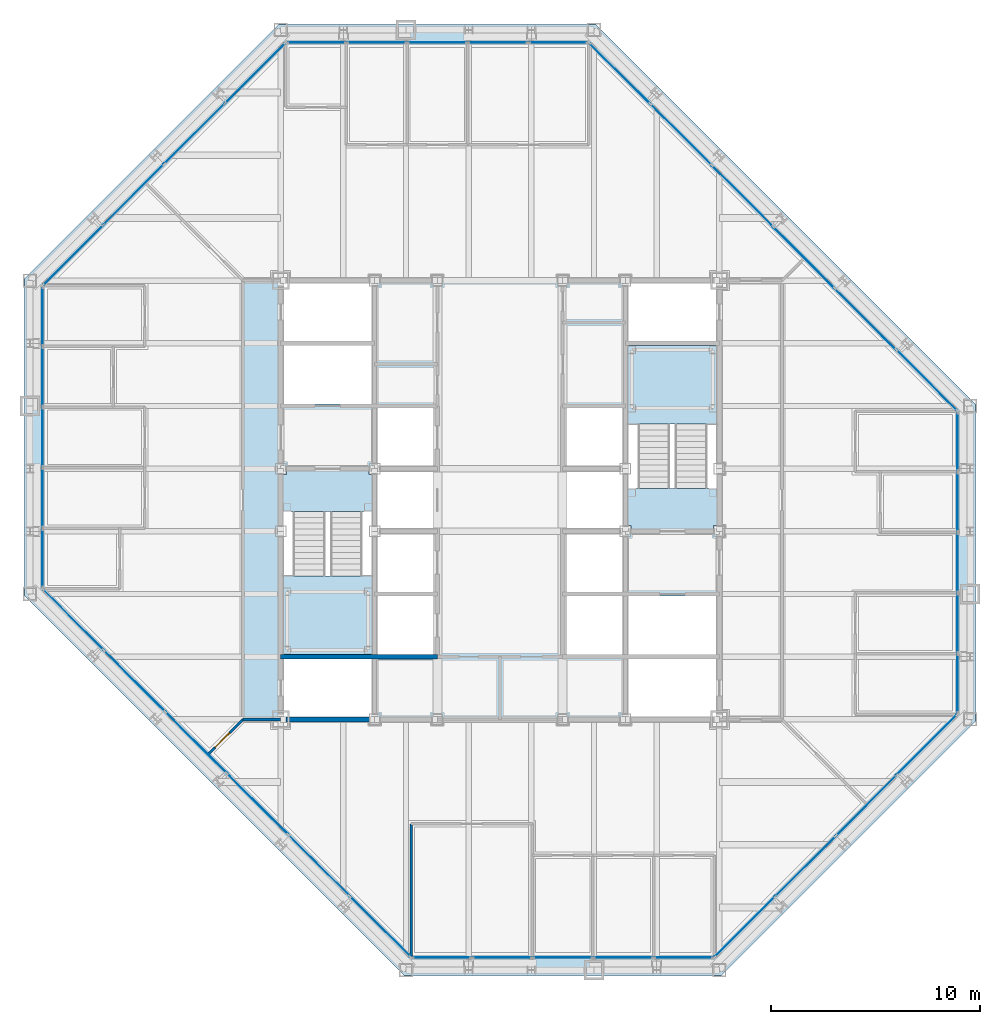
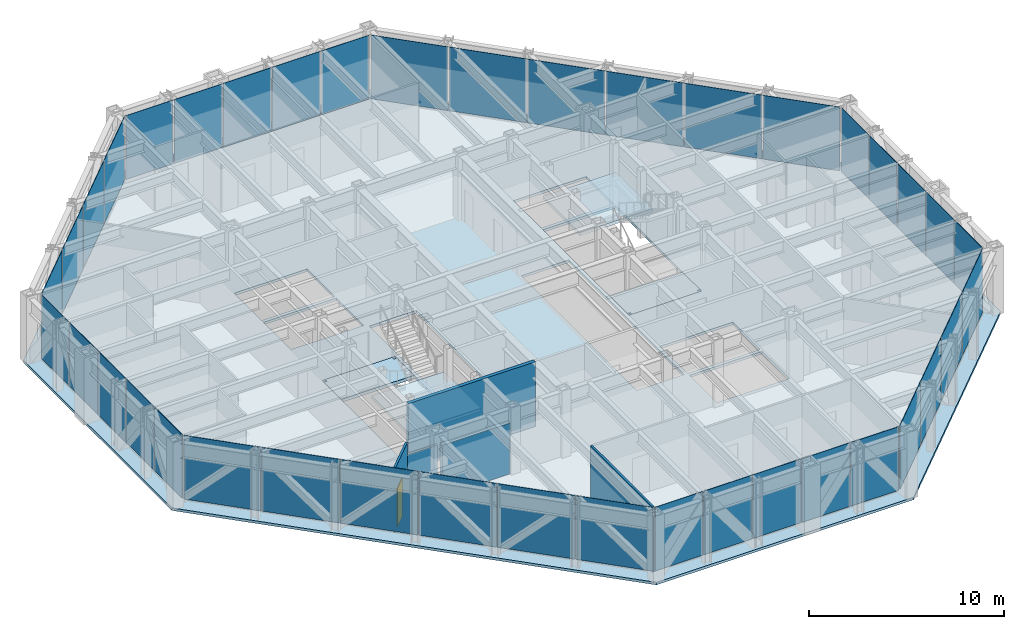
# One storey, part 10 of 16: 40 plates, 5 slabs, 5 walls, 1 door, 1 opening, 10 elements without a shape of their own.
"""IFC4 building model written with IfcOpenShell, lengths in metres."""

from ifc_helpers import new_model, si_unit, direction, frame, frame_2d, origin, origin_2d, place, context, subcontext, project, spatial, polyline, rectangle, outline, extrude, material, layer, layer_set, type_object, element, fill, aggregate, save


model = new_model("IFC4")

# Units and contexts
model_context = context("Model", 3, precision=1e-05, world=origin(), true_north=direction((0.0, 1.0)))
body_context = subcontext(model_context, "Body", "Model", "MODEL_VIEW")
ifc_project = project(units=[si_unit("LENGTHUNIT", "METRE"), si_unit("AREAUNIT", "SQUARE_METRE"), si_unit("VOLUMEUNIT", "CUBIC_METRE"), si_unit("PLANEANGLEUNIT", "RADIAN"), si_unit("MASSUNIT", "GRAM", prefix="KILO")], contexts=[model_context])

# Site, building, storey
site_placement = place(None, origin())
site = spatial("IfcSite", under=ifc_project, at=site_placement, CompositionType="ELEMENT")
building_placement = place(site_placement, origin())
building = spatial("IfcBuilding", under=site, at=building_placement, Name="Chuquiago Exchange Tower", CompositionType="ELEMENT")
storey_placement = place(building_placement, frame((0.0, 0.0, 222.300048828125)))
storey = spatial("IfcBuildingStorey", under=building, at=storey_placement, Name="L49", CompositionType="ELEMENT", Elevation=222.300048828125)

# Curtain wall, plate
ifc_material_1 = material(Name="Aluminium curtain wall system", Category="aluminium")
ifc_layer_1 = layer(ifc_material_1, 0.22509765625)
ifc_layer_set_1 = layer_set([ifc_layer_1], Name="CW2 office curtain wall")
curtain_wall_type_1 = type_object("IfcCurtainWallType", Name="CW2 office curtain wall", PredefinedType="NOTDEFINED", material=ifc_layer_set_1)
curtain_wall_1_placement = place(storey_placement, origin())
curtain_wall_1 = element("IfcCurtainWall", 1, at=curtain_wall_1_placement, inside=storey, type_object=curtain_wall_type_1, Name="CW2 curtain wall L49", PredefinedType="NOTDEFINED")
ifc_material_2 = material(Name="Glass, insulating unit", Category="glass")
ifc_layer_2 = layer(ifc_material_2, 0.030029296875)
ifc_layer_set_2 = layer_set([ifc_layer_2], Name="CW2-P panel 30")
plate_type_1 = type_object("IfcPlateType", Name="CW2-P panel 30", PredefinedType="CURTAIN_PANEL", material=ifc_layer_set_2)
plate_1_placement = place(storey_placement, frame((25.5, 0.60009765625, 0.06494140625), z_axis=(0.0, 0.0, 1.0), x_axis=(1.0, 0.0, 0.0)))
plate_1 = element("IfcPlate", 2, at=plate_1_placement, type_object=plate_type_1, Name="CW2 panel 3.1", PredefinedType="CURTAIN_PANEL", context=body_context, shape_type="SweptSolid", body=[
    extrude(rectangle(XDim=2.835693359375, YDim=0.030029296875, at=origin_2d()), origin(), (0.0, 0.0, 1.0), 3.97509765625),
])

curtain_wall_2_placement = place(storey_placement, origin())
curtain_wall_2 = element("IfcCurtainWall", 3, at=curtain_wall_2_placement, inside=storey, type_object=curtain_wall_type_1, Name="CW2 curtain wall L49", PredefinedType="NOTDEFINED")
plate_2_placement = place(storey_placement, frame((44.39990234375, 19.5, 0.06494140625), z_axis=(0.0, 0.0, 1.0), x_axis=(0.0, 1.0, 0.0)))
plate_2 = element("IfcPlate", 4, at=plate_2_placement, type_object=plate_type_1, Name="CW2 panel 3.1", PredefinedType="CURTAIN_PANEL", context=body_context, shape_type="SweptSolid", body=[
    extrude(rectangle(XDim=2.835693359375, YDim=0.030029296875, at=origin_2d()), origin(), (0.0, 0.0, 1.0), 3.97509765625),
])

curtain_wall_3_placement = place(storey_placement, origin())
curtain_wall_3 = element("IfcCurtainWall", 5, at=curtain_wall_3_placement, inside=storey, type_object=curtain_wall_type_1, Name="CW2 curtain wall L49", PredefinedType="NOTDEFINED")
plate_3_placement = place(storey_placement, frame((19.5, 44.39990234375, 0.06494140625), z_axis=(0.0, 0.0, 1.0), x_axis=(-1.0, 0.0, 0.0)))
plate_3 = element("IfcPlate", 6, at=plate_3_placement, type_object=plate_type_1, Name="CW2 panel 3.1", PredefinedType="CURTAIN_PANEL", context=body_context, shape_type="SweptSolid", body=[
    extrude(rectangle(XDim=2.835693359375, YDim=0.030029296875, at=origin_2d()), origin(), (0.0, 0.0, 1.0), 3.97509765625),
])

curtain_wall_4_placement = place(storey_placement, origin())
curtain_wall_4 = element("IfcCurtainWall", 7, at=curtain_wall_4_placement, inside=storey, type_object=curtain_wall_type_1, Name="CW2 curtain wall L49", PredefinedType="NOTDEFINED")
plate_4_placement = place(storey_placement, frame((0.60009765625, 25.5, 0.06494140625), z_axis=(0.0, 0.0, 1.0), x_axis=(0.0, -1.0, 0.0)))
plate_4 = element("IfcPlate", 8, at=plate_4_placement, type_object=plate_type_1, Name="CW2 panel 3.1", PredefinedType="CURTAIN_PANEL", context=body_context, shape_type="SweptSolid", body=[
    extrude(rectangle(XDim=2.835693359375, YDim=0.030029296875, at=origin_2d()), origin(), (0.0, 0.0, 1.0), 3.97509765625),
])

# Plate
ifc_material_3 = material(Name="Insulated spandrel panel, pale anodised aluminium", Category="aluminium")
ifc_layer_3 = layer(ifc_material_3, 0.030029296875)
ifc_layer_set_3 = layer_set([ifc_layer_3], Name="CW2-P spandrel panel 30")
plate_type_2 = type_object("IfcPlateType", Name="CW2-P spandrel panel 30", PredefinedType="CURTAIN_PANEL", material=ifc_layer_set_3)
plate_5_placement = place(storey_placement, frame((19.715087890625, 0.60009765625, 0.06494140625), z_axis=(0.0, 0.0, 1.0), x_axis=(1.0, 0.0, 0.0)))
plate_5 = element("IfcPlate", 9, at=plate_5_placement, type_object=plate_type_2, Name="CW2 panel 1.1", PredefinedType="CURTAIN_PANEL", context=body_context, shape_type="SweptSolid", body=[
    extrude(rectangle(XDim=2.802978515625, YDim=0.030029296875, at=origin_2d()), origin(), (0.0, 0.0, 1.0), 3.97509765625),
])

plate_6_placement = place(storey_placement, frame((22.599365234375, 0.60009765625, 0.06494140625), z_axis=(0.0, 0.0, 1.0), x_axis=(1.0, 0.0, 0.0)))
plate_6 = element("IfcPlate", 10, at=plate_6_placement, type_object=plate_type_2, Name="CW2 panel 2.1", PredefinedType="CURTAIN_PANEL", context=body_context, shape_type="SweptSolid", body=[
    extrude(rectangle(XDim=2.835693359375, YDim=0.030029296875, at=origin_2d()), origin(), (0.0, 0.0, 1.0), 3.97509765625),
])

plate_7_placement = place(storey_placement, frame((28.400634765625, 0.60009765625, 0.06494140625), z_axis=(0.0, 0.0, 1.0), x_axis=(1.0, 0.0, 0.0)))
plate_7 = element("IfcPlate", 11, at=plate_7_placement, type_object=plate_type_2, Name="CW2 panel 4.1", PredefinedType="CURTAIN_PANEL", context=body_context, shape_type="SweptSolid", body=[
    extrude(rectangle(XDim=2.835693359375, YDim=0.030029296875, at=origin_2d()), origin(), (0.0, 0.0, 1.0), 3.97509765625),
])

plate_8_placement = place(storey_placement, frame((31.284912109375, 0.60009765625, 0.06494140625), z_axis=(0.0, 0.0, 1.0), x_axis=(1.0, 0.0, 0.0)))
plate_8 = element("IfcPlate", 12, at=plate_8_placement, type_object=plate_type_2, Name="CW2 panel 5.1", PredefinedType="CURTAIN_PANEL", context=body_context, shape_type="SweptSolid", body=[
    extrude(rectangle(XDim=2.802978515625, YDim=0.030029296875, at=origin_2d()), origin(), (0.0, 0.0, 1.0), 3.97509765625),
])

aggregate(curtain_wall_1, [plate_5, plate_6, plate_1, plate_7, plate_8])

plate_9_placement = place(storey_placement, frame((44.39990234375, 13.715087890625, 0.06494140625), z_axis=(0.0, 0.0, 1.0), x_axis=(0.0, 1.0, 0.0)))
plate_9 = element("IfcPlate", 13, at=plate_9_placement, type_object=plate_type_2, Name="CW2 panel 1.1", PredefinedType="CURTAIN_PANEL", context=body_context, shape_type="SweptSolid", body=[
    extrude(rectangle(XDim=2.802978515625, YDim=0.030029296875, at=origin_2d()), origin(), (0.0, 0.0, 1.0), 3.97509765625),
])

plate_10_placement = place(storey_placement, frame((44.39990234375, 16.599365234375, 0.06494140625), z_axis=(0.0, 0.0, 1.0), x_axis=(0.0, 1.0, 0.0)))
plate_10 = element("IfcPlate", 14, at=plate_10_placement, type_object=plate_type_2, Name="CW2 panel 2.1", PredefinedType="CURTAIN_PANEL", context=body_context, shape_type="SweptSolid", body=[
    extrude(rectangle(XDim=2.835693359375, YDim=0.030029296875, at=origin_2d()), origin(), (0.0, 0.0, 1.0), 3.97509765625),
])

plate_11_placement = place(storey_placement, frame((44.39990234375, 22.400634765625, 0.06494140625), z_axis=(0.0, 0.0, 1.0), x_axis=(0.0, 1.0, 0.0)))
plate_11 = element("IfcPlate", 15, at=plate_11_placement, type_object=plate_type_2, Name="CW2 panel 4.1", PredefinedType="CURTAIN_PANEL", context=body_context, shape_type="SweptSolid", body=[
    extrude(rectangle(XDim=2.835693359375, YDim=0.030029296875, at=origin_2d()), origin(), (0.0, 0.0, 1.0), 3.97509765625),
])

plate_12_placement = place(storey_placement, frame((44.39990234375, 25.284912109375, 0.06494140625), z_axis=(0.0, 0.0, 1.0), x_axis=(0.0, 1.0, 0.0)))
plate_12 = element("IfcPlate", 16, at=plate_12_placement, type_object=plate_type_2, Name="CW2 panel 5.1", PredefinedType="CURTAIN_PANEL", context=body_context, shape_type="SweptSolid", body=[
    extrude(rectangle(XDim=2.802978515625, YDim=0.030029296875, at=origin_2d()), origin(), (0.0, 0.0, 1.0), 3.97509765625),
])

aggregate(curtain_wall_2, [plate_9, plate_10, plate_2, plate_11, plate_12])

plate_13_placement = place(storey_placement, frame((25.284912109375, 44.39990234375, 0.06494140625), z_axis=(0.0, 0.0, 1.0), x_axis=(-1.0, 0.0, 0.0)))
plate_13 = element("IfcPlate", 17, at=plate_13_placement, type_object=plate_type_2, Name="CW2 panel 1.1", PredefinedType="CURTAIN_PANEL", context=body_context, shape_type="SweptSolid", body=[
    extrude(rectangle(XDim=2.802978515625, YDim=0.030029296875, at=origin_2d()), origin(), (0.0, 0.0, 1.0), 3.97509765625),
])

plate_14_placement = place(storey_placement, frame((22.400634765625, 44.39990234375, 0.06494140625), z_axis=(0.0, 0.0, 1.0), x_axis=(-1.0, 0.0, 0.0)))
plate_14 = element("IfcPlate", 18, at=plate_14_placement, type_object=plate_type_2, Name="CW2 panel 2.1", PredefinedType="CURTAIN_PANEL", context=body_context, shape_type="SweptSolid", body=[
    extrude(rectangle(XDim=2.835693359375, YDim=0.030029296875, at=origin_2d()), origin(), (0.0, 0.0, 1.0), 3.97509765625),
])

plate_15_placement = place(storey_placement, frame((16.599365234375, 44.39990234375, 0.06494140625), z_axis=(0.0, 0.0, 1.0), x_axis=(-1.0, 0.0, 0.0)))
plate_15 = element("IfcPlate", 19, at=plate_15_placement, type_object=plate_type_2, Name="CW2 panel 4.1", PredefinedType="CURTAIN_PANEL", context=body_context, shape_type="SweptSolid", body=[
    extrude(rectangle(XDim=2.835693359375, YDim=0.030029296875, at=origin_2d()), origin(), (0.0, 0.0, 1.0), 3.97509765625),
])

plate_16_placement = place(storey_placement, frame((13.715087890625, 44.39990234375, 0.06494140625), z_axis=(0.0, 0.0, 1.0), x_axis=(-1.0, 0.0, 0.0)))
plate_16 = element("IfcPlate", 20, at=plate_16_placement, type_object=plate_type_2, Name="CW2 panel 5.1", PredefinedType="CURTAIN_PANEL", context=body_context, shape_type="SweptSolid", body=[
    extrude(rectangle(XDim=2.802978515625, YDim=0.030029296875, at=origin_2d()), origin(), (0.0, 0.0, 1.0), 3.97509765625),
])

aggregate(curtain_wall_3, [plate_13, plate_14, plate_3, plate_15, plate_16])

plate_17_placement = place(storey_placement, frame((0.60009765625, 31.284912109375, 0.06494140625), z_axis=(0.0, 0.0, 1.0), x_axis=(0.0, -1.0, 0.0)))
plate_17 = element("IfcPlate", 21, at=plate_17_placement, type_object=plate_type_2, Name="CW2 panel 1.1", PredefinedType="CURTAIN_PANEL", context=body_context, shape_type="SweptSolid", body=[
    extrude(rectangle(XDim=2.802978515625, YDim=0.030029296875, at=origin_2d()), origin(), (0.0, 0.0, 1.0), 3.97509765625),
])

plate_18_placement = place(storey_placement, frame((0.60009765625, 28.400634765625, 0.06494140625), z_axis=(0.0, 0.0, 1.0), x_axis=(0.0, -1.0, 0.0)))
plate_18 = element("IfcPlate", 22, at=plate_18_placement, type_object=plate_type_2, Name="CW2 panel 2.1", PredefinedType="CURTAIN_PANEL", context=body_context, shape_type="SweptSolid", body=[
    extrude(rectangle(XDim=2.835693359375, YDim=0.030029296875, at=origin_2d()), origin(), (0.0, 0.0, 1.0), 3.97509765625),
])

plate_19_placement = place(storey_placement, frame((0.60009765625, 22.599365234375, 0.06494140625), z_axis=(0.0, 0.0, 1.0), x_axis=(0.0, -1.0, 0.0)))
plate_19 = element("IfcPlate", 23, at=plate_19_placement, type_object=plate_type_2, Name="CW2 panel 4.1", PredefinedType="CURTAIN_PANEL", context=body_context, shape_type="SweptSolid", body=[
    extrude(rectangle(XDim=2.835693359375, YDim=0.030029296875, at=origin_2d()), origin(), (0.0, 0.0, 1.0), 3.97509765625),
])

plate_20_placement = place(storey_placement, frame((0.60009765625, 19.715087890625, 0.06494140625), z_axis=(0.0, 0.0, 1.0), x_axis=(0.0, -1.0, 0.0)))
plate_20 = element("IfcPlate", 24, at=plate_20_placement, type_object=plate_type_2, Name="CW2 panel 5.1", PredefinedType="CURTAIN_PANEL", context=body_context, shape_type="SweptSolid", body=[
    extrude(rectangle(XDim=2.802978515625, YDim=0.030029296875, at=origin_2d()), origin(), (0.0, 0.0, 1.0), 3.97509765625),
])

aggregate(curtain_wall_4, [plate_17, plate_18, plate_4, plate_19, plate_20])

# Curtain wall, plates
ifc_material_4 = material(Name="Aluminium curtain wall system", Category="aluminium")
ifc_layer_4 = layer(ifc_material_4, 0.199951171875)
ifc_layer_set_4 = layer_set([ifc_layer_4], Name="CW3 facet curtain wall")
curtain_wall_type_2 = type_object("IfcCurtainWallType", Name="CW3 facet curtain wall", PredefinedType="NOTDEFINED", material=ifc_layer_set_4)
curtain_wall_5_placement = place(storey_placement, origin())
curtain_wall_5 = element("IfcCurtainWall", 25, at=curtain_wall_5_placement, inside=storey, type_object=curtain_wall_type_2, Name="CW3 curtain wall L49", PredefinedType="NOTDEFINED")
ifc_material_5 = material(Name="Insulated spandrel panel, pale anodised aluminium", Category="aluminium")
ifc_layer_5 = layer(ifc_material_5, 0.030029296875)
ifc_layer_set_5 = layer_set([ifc_layer_5], Name="CW3-P spandrel panel 30")
plate_type_3 = type_object("IfcPlateType", Name="CW3-P spandrel panel 30", PredefinedType="CURTAIN_PANEL", material=ifc_layer_set_5)
plate_21_placement = place(storey_placement, frame((34.218994140625, 2.067626953125, 0.06494140625), z_axis=(0.0, 0.0, 1.0), x_axis=(0.707106781187, 0.707106781187, 0.0)))
plate_21 = element("IfcPlate", 26, at=plate_21_placement, type_object=plate_type_3, Name="CW3 panel 1.1", PredefinedType="CURTAIN_PANEL", context=body_context, shape_type="SweptSolid", body=[
    extrude(rectangle(XDim=4.020751953125, YDim=0.030029296875, at=origin_2d()), origin(), (0.0, 0.0, 1.0), 3.97509765625),
])
plate_22_placement = place(storey_placement, frame((37.11962890625, 4.96826171875, 0.06494140625), z_axis=(0.0, 0.0, 1.0), x_axis=(0.707106781187, 0.707106781187, 0.0)))
plate_22 = element("IfcPlate", 27, at=plate_22_placement, type_object=plate_type_3, Name="CW3 panel 2.1", PredefinedType="CURTAIN_PANEL", context=body_context, shape_type="SweptSolid", body=[
    extrude(rectangle(XDim=4.053466796875, YDim=0.030029296875, at=origin_2d()), origin(), (0.0, 0.0, 1.0), 3.97509765625),
])
plate_23_placement = place(storey_placement, frame((40.03173828125, 7.88037109375, 0.06494140625), z_axis=(0.0, 0.0, 1.0), x_axis=(0.707106781187, 0.707106781187, 0.0)))
plate_23 = element("IfcPlate", 28, at=plate_23_placement, type_object=plate_type_3, Name="CW3 panel 3.1", PredefinedType="CURTAIN_PANEL", context=body_context, shape_type="SweptSolid", body=[
    extrude(rectangle(XDim=4.053466796875, YDim=0.030029296875, at=origin_2d()), origin(), (0.0, 0.0, 1.0), 3.97509765625),
])
plate_24_placement = place(storey_placement, frame((42.932373046875, 10.781005859375, 0.06494140625), z_axis=(0.0, 0.0, 1.0), x_axis=(0.707106781187, 0.707106781187, 0.0)))
plate_24 = element("IfcPlate", 29, at=plate_24_placement, type_object=plate_type_3, Name="CW3 panel 4.1", PredefinedType="CURTAIN_PANEL", context=body_context, shape_type="SweptSolid", body=[
    extrude(rectangle(XDim=4.020751953125, YDim=0.030029296875, at=origin_2d()), origin(), (0.0, 0.0, 1.0), 3.97509765625),
])
aggregate(curtain_wall_5, [plate_21, plate_22, plate_23, plate_24])

curtain_wall_6_placement = place(storey_placement, origin())
curtain_wall_6 = element("IfcCurtainWall", 30, at=curtain_wall_6_placement, inside=storey, type_object=curtain_wall_type_2, Name="CW3 curtain wall L49", PredefinedType="NOTDEFINED")
plate_25_placement = place(storey_placement, frame((42.917724609375, 28.233642578125, 0.06494140625), z_axis=(0.0, 0.0, 1.0), x_axis=(-0.707106781187, 0.707106781187, 0.0)))
plate_25 = element("IfcPlate", 31, at=plate_25_placement, type_object=plate_type_3, Name="CW3 panel 1.1", PredefinedType="CURTAIN_PANEL", context=body_context, shape_type="SweptSolid", body=[
    extrude(rectangle(XDim=4.062255859375, YDim=0.030029296875, at=origin_2d()), origin(), (0.0, 0.0, 1.0), 3.97509765625),
])
plate_26_placement = place(storey_placement, frame((39.98779296875, 31.16357421875, 0.06494140625), z_axis=(0.0, 0.0, 1.0), x_axis=(-0.707106781187, 0.707106781187, 0.0)))
plate_26 = element("IfcPlate", 32, at=plate_26_placement, type_object=plate_type_3, Name="CW3 panel 2.1", PredefinedType="CURTAIN_PANEL", context=body_context, shape_type="SweptSolid", body=[
    extrude(rectangle(XDim=4.0947265625, YDim=0.030029296875, at=origin_2d()), origin(), (0.0, 0.0, 1.0), 3.97509765625),
])
plate_27_placement = place(storey_placement, frame((37.04638671875, 34.10498046875, 0.06494140625), z_axis=(0.0, 0.0, 1.0), x_axis=(-0.707106781187, 0.707106781187, 0.0)))
plate_27 = element("IfcPlate", 33, at=plate_27_placement, type_object=plate_type_3, Name="CW3 panel 3.1", PredefinedType="CURTAIN_PANEL", context=body_context, shape_type="SweptSolid", body=[
    extrude(rectangle(XDim=4.0947265625, YDim=0.030029296875, at=origin_2d()), origin(), (0.0, 0.0, 1.0), 3.97509765625),
])
plate_28_placement = place(storey_placement, frame((34.10498046875, 37.04638671875, 0.06494140625), z_axis=(0.0, 0.0, 1.0), x_axis=(-0.707106781187, 0.707106781187, 0.0)))
plate_28 = element("IfcPlate", 34, at=plate_28_placement, type_object=plate_type_3, Name="CW3 panel 4.1", PredefinedType="CURTAIN_PANEL", context=body_context, shape_type="SweptSolid", body=[
    extrude(rectangle(XDim=4.0947265625, YDim=0.030029296875, at=origin_2d()), origin(), (0.0, 0.0, 1.0), 3.97509765625),
])
plate_29_placement = place(storey_placement, frame((31.16357421875, 39.98779296875, 0.06494140625), z_axis=(0.0, 0.0, 1.0), x_axis=(-0.707106781187, 0.707106781187, 0.0)))
plate_29 = element("IfcPlate", 35, at=plate_29_placement, type_object=plate_type_3, Name="CW3 panel 5.1", PredefinedType="CURTAIN_PANEL", context=body_context, shape_type="SweptSolid", body=[
    extrude(rectangle(XDim=4.0947265625, YDim=0.030029296875, at=origin_2d()), origin(), (0.0, 0.0, 1.0), 3.97509765625),
])
plate_30_placement = place(storey_placement, frame((28.233642578125, 42.917724609375, 0.06494140625), z_axis=(0.0, 0.0, 1.0), x_axis=(-0.707106781187, 0.707106781187, 0.0)))
plate_30 = element("IfcPlate", 36, at=plate_30_placement, type_object=plate_type_3, Name="CW3 panel 6.1", PredefinedType="CURTAIN_PANEL", context=body_context, shape_type="SweptSolid", body=[
    extrude(rectangle(XDim=4.062255859375, YDim=0.030029296875, at=origin_2d()), origin(), (0.0, 0.0, 1.0), 3.97509765625),
])
aggregate(curtain_wall_6, [plate_25, plate_26, plate_27, plate_28, plate_29, plate_30])

curtain_wall_7_placement = place(storey_placement, origin())
curtain_wall_7 = element("IfcCurtainWall", 37, at=curtain_wall_7_placement, inside=storey, type_object=curtain_wall_type_2, Name="CW3 curtain wall L49", PredefinedType="NOTDEFINED")
plate_31_placement = place(storey_placement, frame((10.781005859375, 42.932373046875, 0.06494140625), z_axis=(0.0, 0.0, 1.0), x_axis=(-0.707106781187, -0.707106781187, 0.0)))
plate_31 = element("IfcPlate", 38, at=plate_31_placement, type_object=plate_type_3, Name="CW3 panel 1.1", PredefinedType="CURTAIN_PANEL", context=body_context, shape_type="SweptSolid", body=[
    extrude(rectangle(XDim=4.020751953125, YDim=0.030029296875, at=origin_2d()), origin(), (0.0, 0.0, 1.0), 3.97509765625),
])
plate_32_placement = place(storey_placement, frame((7.88037109375, 40.03173828125, 0.06494140625), z_axis=(0.0, 0.0, 1.0), x_axis=(-0.707106781187, -0.707106781187, 0.0)))
plate_32 = element("IfcPlate", 39, at=plate_32_placement, type_object=plate_type_3, Name="CW3 panel 2.1", PredefinedType="CURTAIN_PANEL", context=body_context, shape_type="SweptSolid", body=[
    extrude(rectangle(XDim=4.053466796875, YDim=0.030029296875, at=origin_2d()), origin(), (0.0, 0.0, 1.0), 3.97509765625),
])
plate_33_placement = place(storey_placement, frame((4.96826171875, 37.11962890625, 0.06494140625), z_axis=(0.0, 0.0, 1.0), x_axis=(-0.707106781187, -0.707106781187, 0.0)))
plate_33 = element("IfcPlate", 40, at=plate_33_placement, type_object=plate_type_3, Name="CW3 panel 3.1", PredefinedType="CURTAIN_PANEL", context=body_context, shape_type="SweptSolid", body=[
    extrude(rectangle(XDim=4.053466796875, YDim=0.030029296875, at=origin_2d()), origin(), (0.0, 0.0, 1.0), 3.97509765625),
])
plate_34_placement = place(storey_placement, frame((2.067626953125, 34.218994140625, 0.06494140625), z_axis=(0.0, 0.0, 1.0), x_axis=(-0.707106781187, -0.707106781187, 0.0)))
plate_34 = element("IfcPlate", 41, at=plate_34_placement, type_object=plate_type_3, Name="CW3 panel 4.1", PredefinedType="CURTAIN_PANEL", context=body_context, shape_type="SweptSolid", body=[
    extrude(rectangle(XDim=4.020751953125, YDim=0.030029296875, at=origin_2d()), origin(), (0.0, 0.0, 1.0), 3.97509765625),
])
aggregate(curtain_wall_7, [plate_31, plate_32, plate_33, plate_34])

curtain_wall_8_placement = place(storey_placement, origin())
curtain_wall_8 = element("IfcCurtainWall", 42, at=curtain_wall_8_placement, inside=storey, type_object=curtain_wall_type_2, Name="CW3 curtain wall L49", PredefinedType="NOTDEFINED")
plate_35_placement = place(storey_placement, frame((2.082275390625, 16.766357421875, 0.06494140625), z_axis=(0.0, 0.0, 1.0), x_axis=(0.707106781187, -0.707106781187, 0.0)))
plate_35 = element("IfcPlate", 43, at=plate_35_placement, type_object=plate_type_3, Name="CW3 panel 1.1", PredefinedType="CURTAIN_PANEL", context=body_context, shape_type="SweptSolid", body=[
    extrude(rectangle(XDim=4.062255859375, YDim=0.030029296875, at=origin_2d()), origin(), (0.0, 0.0, 1.0), 3.97509765625),
])
plate_36_placement = place(storey_placement, frame((5.01220703125, 13.83642578125, 0.06494140625), z_axis=(0.0, 0.0, 1.0), x_axis=(0.707106781187, -0.707106781187, 0.0)))
plate_36 = element("IfcPlate", 44, at=plate_36_placement, type_object=plate_type_3, Name="CW3 panel 2.1", PredefinedType="CURTAIN_PANEL", context=body_context, shape_type="SweptSolid", body=[
    extrude(rectangle(XDim=4.0947265625, YDim=0.030029296875, at=origin_2d()), origin(), (0.0, 0.0, 1.0), 3.97509765625),
])
plate_37_placement = place(storey_placement, frame((7.95361328125, 10.89501953125, 0.06494140625), z_axis=(0.0, 0.0, 1.0), x_axis=(0.707106781187, -0.707106781187, 0.0)))
plate_37 = element("IfcPlate", 45, at=plate_37_placement, type_object=plate_type_3, Name="CW3 panel 3.1", PredefinedType="CURTAIN_PANEL", context=body_context, shape_type="SweptSolid", body=[
    extrude(rectangle(XDim=4.0947265625, YDim=0.030029296875, at=origin_2d()), origin(), (0.0, 0.0, 1.0), 3.97509765625),
])
plate_38_placement = place(storey_placement, frame((10.89501953125, 7.95361328125, 0.06494140625), z_axis=(0.0, 0.0, 1.0), x_axis=(0.707106781187, -0.707106781187, 0.0)))
plate_38 = element("IfcPlate", 46, at=plate_38_placement, type_object=plate_type_3, Name="CW3 panel 4.1", PredefinedType="CURTAIN_PANEL", context=body_context, shape_type="SweptSolid", body=[
    extrude(rectangle(XDim=4.0947265625, YDim=0.030029296875, at=origin_2d()), origin(), (0.0, 0.0, 1.0), 3.97509765625),
])
plate_39_placement = place(storey_placement, frame((13.83642578125, 5.01220703125, 0.06494140625), z_axis=(0.0, 0.0, 1.0), x_axis=(0.707106781187, -0.707106781187, 0.0)))
plate_39 = element("IfcPlate", 47, at=plate_39_placement, type_object=plate_type_3, Name="CW3 panel 5.1", PredefinedType="CURTAIN_PANEL", context=body_context, shape_type="SweptSolid", body=[
    extrude(rectangle(XDim=4.0947265625, YDim=0.030029296875, at=origin_2d()), origin(), (0.0, 0.0, 1.0), 3.97509765625),
])
plate_40_placement = place(storey_placement, frame((16.766357421875, 2.082275390625, 0.06494140625), z_axis=(0.0, 0.0, 1.0), x_axis=(0.707106781187, -0.707106781187, 0.0)))
plate_40 = element("IfcPlate", 48, at=plate_40_placement, type_object=plate_type_3, Name="CW3 panel 6.1", PredefinedType="CURTAIN_PANEL", context=body_context, shape_type="SweptSolid", body=[
    extrude(rectangle(XDim=4.062255859375, YDim=0.030029296875, at=origin_2d()), origin(), (0.0, 0.0, 1.0), 3.97509765625),
])
aggregate(curtain_wall_8, [plate_35, plate_36, plate_37, plate_38, plate_39, plate_40])

# Slab
ifc_material_6 = material(Name="Concrete C30/37", Category="concrete")
ifc_layer_6 = layer(ifc_material_6, 0.159912109375)
ifc_layer_set_6 = layer_set([ifc_layer_6], Name="FS1 composite floor 160")
slab_type_1 = type_object("IfcSlabType", Name="FS1 composite floor 160", PredefinedType="FLOOR", material=ifc_layer_set_6)
slab_1_placement = place(storey_placement, frame((0.0, 0.0, -0.16015625)))
element("IfcSlab", 49, at=slab_1_placement, inside=storey, type_object=slab_type_1, Name="L49 floor slab", PredefinedType="FLOOR", context=body_context, shape_type="SweptSolid", body=[
    extrude(outline(polyline([(17.896484375, -0.25), (-0.25, 17.896484375), (-0.25, 33.103515625), (11.896484375, 45.25), (27.103515625, 45.25), (45.25, 27.103515625), (45.25, 11.896484375), (33.103515625, -0.25), (17.896484375, -0.25)]), holes=[polyline([(16.39990234375, 15.10009765625), (12.10009765625, 15.10009765625), (12.10009765625, 23.89990234375), (16.39990234375, 23.89990234375), (16.39990234375, 15.10009765625)]), polyline([(32.89990234375, 21.10009765625), (28.60009765625, 21.10009765625), (28.60009765625, 29.89990234375), (32.89990234375, 29.89990234375), (32.89990234375, 21.10009765625)]), polyline([(16.39990234375, 12.10009765625), (12.10009765625, 12.10009765625), (12.10009765625, 14.89990234375), (16.39990234375, 14.89990234375), (16.39990234375, 12.10009765625)]), polyline([(16.39990234375, 30.10009765625), (12.10009765625, 30.10009765625), (12.10009765625, 32.89990234375), (16.39990234375, 32.89990234375), (16.39990234375, 30.10009765625)]), polyline([(32.89990234375, 12.10009765625), (28.60009765625, 12.10009765625), (28.60009765625, 14.89990234375), (32.89990234375, 14.89990234375), (32.89990234375, 12.10009765625)]), polyline([(32.89990234375, 30.10009765625), (28.60009765625, 30.10009765625), (28.60009765625, 32.89990234375), (32.89990234375, 32.89990234375), (32.89990234375, 30.10009765625)]), polyline([(16.39990234375, 27.10009765625), (12.10009765625, 27.10009765625), (12.10009765625, 29.89990234375), (16.39990234375, 29.89990234375), (16.39990234375, 27.10009765625)]), polyline([(32.89990234375, 15.10009765625), (28.60009765625, 15.10009765625), (28.60009765625, 17.89990234375), (32.89990234375, 17.89990234375), (32.89990234375, 15.10009765625)]), polyline([(19.39990234375, 15.10009765625), (16.60009765625, 15.10009765625), (16.60009765625, 26.89990234375), (19.39990234375, 26.89990234375), (19.39990234375, 15.10009765625)]), polyline([(28.39990234375, 15.10009765625), (25.60009765625, 15.10009765625), (25.60009765625, 26.89990234375), (28.39990234375, 26.89990234375), (28.39990234375, 15.10009765625)])]), origin(), (0.0, 0.0, 1.0), 0.16015625),
])

# Stair, slabs
ifc_material_7 = material(Name="Concrete C30/37, precast", Category="concrete")
stair_type_1 = type_object("IfcStairType", Name="ST1 half-turn stair 4200", PredefinedType="HALF_TURN_STAIR", material=ifc_material_7)
stair_1_placement = place(storey_placement, origin())
stair_1 = element("IfcStair", 50, at=stair_1_placement, inside=storey, type_object=stair_type_1, Name="Stair ST1 L49", PredefinedType="HALF_TURN_STAIR")
ifc_material_8 = material(Name="Concrete C30/37, precast", Category="concrete")
ifc_layer_7 = layer(ifc_material_8, 0.199951171875)
ifc_layer_set_7 = layer_set([ifc_layer_7], Name="ST-L landing 200")
slab_type_2 = type_object("IfcSlabType", Name="ST-L landing 200", PredefinedType="LANDING", material=ifc_layer_set_7)
slab_2_placement = place(storey_placement, frame((0.0, 0.0, -0.199951171875)))
slab_2 = element("IfcSlab", 51, at=slab_2_placement, type_object=slab_type_2, Name="ST1 landing 1", PredefinedType="LANDING", context=body_context, shape_type="SweptSolid", body=[
    extrude(outline(polyline([(12.27490234375, 23.89990234375), (16.22509765625, 23.89990234375), (16.22509765625, 23.72509765625), (16.39990234375, 23.72509765625), (16.39990234375, 21.949951171875), (12.10009765625, 21.949951171875), (12.10009765625, 23.72509765625), (12.27490234375, 23.72509765625), (12.27490234375, 23.89990234375)])), origin(), (0.0, 0.0, 1.0), 0.199951171875),
])
slab_3_placement = place(storey_placement, frame((0.0, 0.0, 1.89990234375)))
slab_3 = element("IfcSlab", 52, at=slab_3_placement, type_object=slab_type_2, Name="ST1 landing 2", PredefinedType="LANDING", context=body_context, shape_type="SweptSolid", body=[
    extrude(outline(polyline([(12.10009765625, 18.8701171875), (16.39990234375, 18.8701171875), (16.39990234375, 15.10009765625), (12.10009765625, 15.10009765625), (12.10009765625, 18.8701171875)])), origin(), (0.0, 0.0, 1.0), 0.199951171875),
])
aggregate(stair_1, [slab_2, slab_3])

ifc_material_9 = material(Name="Concrete C30/37, precast", Category="concrete")
stair_type_2 = type_object("IfcStairType", Name="ST2 half-turn stair 4200", PredefinedType="HALF_TURN_STAIR", material=ifc_material_9)
stair_2_placement = place(storey_placement, origin())
stair_2 = element("IfcStair", 53, at=stair_2_placement, inside=storey, type_object=stair_type_2, Name="Stair ST2 L49", PredefinedType="HALF_TURN_STAIR")
slab_4_placement = place(storey_placement, frame((0.0, 0.0, -0.199951171875)))
slab_4 = element("IfcSlab", 54, at=slab_4_placement, type_object=slab_type_2, Name="ST2 landing 1", PredefinedType="LANDING", context=body_context, shape_type="SweptSolid", body=[
    extrude(outline(polyline([(32.72509765625, 21.27490234375), (32.72509765625, 21.10009765625), (28.77490234375, 21.10009765625), (28.77490234375, 21.27490234375), (28.60009765625, 21.27490234375), (28.60009765625, 23.050048828125), (32.89990234375, 23.050048828125), (32.89990234375, 21.27490234375), (32.72509765625, 21.27490234375)])), origin(), (0.0, 0.0, 1.0), 0.199951171875),
])
slab_5_placement = place(storey_placement, frame((0.0, 0.0, 1.89990234375)))
slab_5 = element("IfcSlab", 55, at=slab_5_placement, type_object=slab_type_2, Name="ST2 landing 2", PredefinedType="LANDING", context=body_context, shape_type="SweptSolid", body=[
    extrude(outline(polyline([(28.60009765625, 29.89990234375), (32.89990234375, 29.89990234375), (32.89990234375, 26.1298828125), (28.60009765625, 26.1298828125), (28.60009765625, 29.89990234375)])), origin(), (0.0, 0.0, 1.0), 0.199951171875),
])
aggregate(stair_2, [slab_4, slab_5])

# Walls
ifc_material_10 = material(Name="Concrete masonry, fully grouted", Category="masonry")
ifc_layer_8 = layer(ifc_material_10, 0.25)
ifc_layer_set_8 = layer_set([ifc_layer_8], Name="W1 core wall 250")
wall_type_1 = type_object("IfcWallType", Name="W1 core wall 250", PredefinedType="SOLIDWALL", material=ifc_layer_set_8)
wall_1_placement = place(storey_placement, frame((12.25, 12.0, 0.0), z_axis=(0.0, 0.0, 1.0), x_axis=(1.0, 0.0, 0.0)))
element("IfcWall", 56, at=wall_1_placement, inside=storey, type_object=wall_type_1, Name="CW-L49-01-0", PredefinedType="SOLIDWALL", context=body_context, shape_type="SweptSolid", body=[
    extrude(rectangle(XDim=4.0, YDim=0.25, at=frame_2d((2.0, 0.0))), origin(), (0.0, 0.0, 1.0), 3.181396484375),
])
ifc_material_11 = material(Name="Gypsum board on steel studs, acoustic insulation", Category="steel")
ifc_layer_9 = layer(ifc_material_11, 0.14990234375)
ifc_layer_set_9 = layer_set([ifc_layer_9], Name="W11 corridor wall 150")
wall_type_2 = type_object("IfcWallType", Name="W11 corridor wall 150", PredefinedType="PARTITIONING", material=ifc_layer_set_9)
wall_2_placement = place(storey_placement, frame((10.199951171875, 12.0, 0.0), z_axis=(0.0, 0.0, 1.0), x_axis=(1.0, 0.0, 0.0)))
element("IfcWall", 57, at=wall_2_placement, inside=storey, type_object=wall_type_2, Name="PW-L49-GWS0", PredefinedType="PARTITIONING", context=body_context, shape_type="SweptSolid", body=[
    extrude(rectangle(XDim=1.800048828125, YDim=0.14990234375, at=frame_2d((0.89990234375, 0.0))), origin(), (0.0, 0.0, 1.0), 3.270263671875),
])
ifc_material_12 = material(Name="Concrete masonry, fully grouted", Category="masonry")
ifc_layer_10 = layer(ifc_material_12, 0.199951171875)
ifc_layer_set_10 = layer_set([ifc_layer_10], Name="W2 shaft wall 200")
wall_type_3 = type_object("IfcWallType", Name="W2 shaft wall 200", PredefinedType="SOLIDWALL", material=ifc_layer_set_10)
wall_3_placement = place(storey_placement, frame((12.0, 15.0, 0.0), z_axis=(0.0, 0.0, 1.0), x_axis=(1.0, 0.0, 0.0)))
element("IfcWall", 58, at=wall_3_placement, inside=storey, type_object=wall_type_3, Name="CW-L49-03-0", PredefinedType="SOLIDWALL", context=body_context, shape_type="SweptSolid", body=[
    extrude(rectangle(XDim=7.5, YDim=0.199951171875, at=frame_2d((3.75, 0.0))), origin(), (0.0, 0.0, 1.0), 4.0400390625),
])
ifc_material_13 = material(Name="Gypsum board on steel studs", Category="steel")
ifc_layer_11 = layer(ifc_material_13, 0.1201171875)
ifc_layer_set_11 = layer_set([ifc_layer_11], Name="W4 partition 120")
wall_type_4 = type_object("IfcWallType", Name="W4 partition 120", PredefinedType="PARTITIONING", material=ifc_layer_set_11)
wall_4_placement = place(storey_placement, frame((18.24853515625, 0.666015625, 0.0), z_axis=(0.0, 0.0, 1.0), x_axis=(0.0, 1.0, 0.0)))
element("IfcWall", 59, at=wall_4_placement, inside=storey, type_object=wall_type_4, Name="PW-L49-S01825", PredefinedType="PARTITIONING", context=body_context, shape_type="SweptSolid", body=[
    extrude(rectangle(XDim=6.333984375, YDim=0.1201171875, at=frame_2d((3.1669921875, 0.0))), origin(), (0.0, 0.0, 1.0), 4.0400390625),
])

# Wall, opening, door
wall_5_placement = place(storey_placement, frame((10.199951171875, 12.0, 0.0), z_axis=(0.0, 0.0, 1.0), x_axis=(-0.707106781187, -0.707106781187, 0.0)))
wall_5 = element("IfcWall", 60, at=wall_5_placement, inside=storey, type_object=wall_type_4, Name="PW-L49-QSW", PredefinedType="PARTITIONING", context=body_context, shape_type="SweptSolid", body=[
    extrude(rectangle(XDim=2.337890625, YDim=0.1201171875, at=frame_2d((1.1689453125, 0.0))), origin(), (0.0, 0.0, 1.0), 4.0400390625),
])
opening_placement = place(wall_5_placement, frame((0.89990234375, 0.0, 0.0)))
opening = element("IfcOpeningElement", 61, at=opening_placement, cuts=wall_5, Name="Opening L49-043", PredefinedType="OPENING", context=body_context, shape_type="SweptSolid", body=[
    extrude(rectangle(XDim=1.0, YDim=2.39990234375, at=frame_2d((0.5, 1.199951171875))), frame((0.0, 0.070068359375, 0.0), z_axis=(0.0, -1.0, 0.0), x_axis=(1.0, 0.0, 0.0)), (0.0, 0.0, 1.0), 0.14013671875),
])
ifc_material_14 = material(Name="Timber door, laminate faced", Category="wood")
door_type = type_object("IfcDoorType", Name="D9 room door 1000x2400", OperationType="SINGLE_SWING_LEFT", PredefinedType="DOOR", material=ifc_material_14)
door_placement = place(opening_placement, frame((1.0, 0.0, 0.0), z_axis=(0.0, 0.0, 1.0), x_axis=(-1.0, 0.0, 0.0)))
door = element("IfcDoor", 62, at=door_placement, inside=storey, type_object=door_type, Name="Team area door", OperationType="SINGLE_SWING_LEFT", OverallHeight=2.39990234375, OverallWidth=1.0, PredefinedType="DOOR", context=body_context, shape_type="SweptSolid", body=[
    extrude(rectangle(XDim=1.0, YDim=2.39990234375, at=frame_2d((0.5, 1.199951171875))), frame((0.0, 0.02490234375, 0.0), z_axis=(0.0, -1.0, 0.0), x_axis=(1.0, 0.0, 0.0)), (0.0, 0.0, 1.0), 0.050048828125),
])
fill(opening, door)

save(model, "model.ifc")
